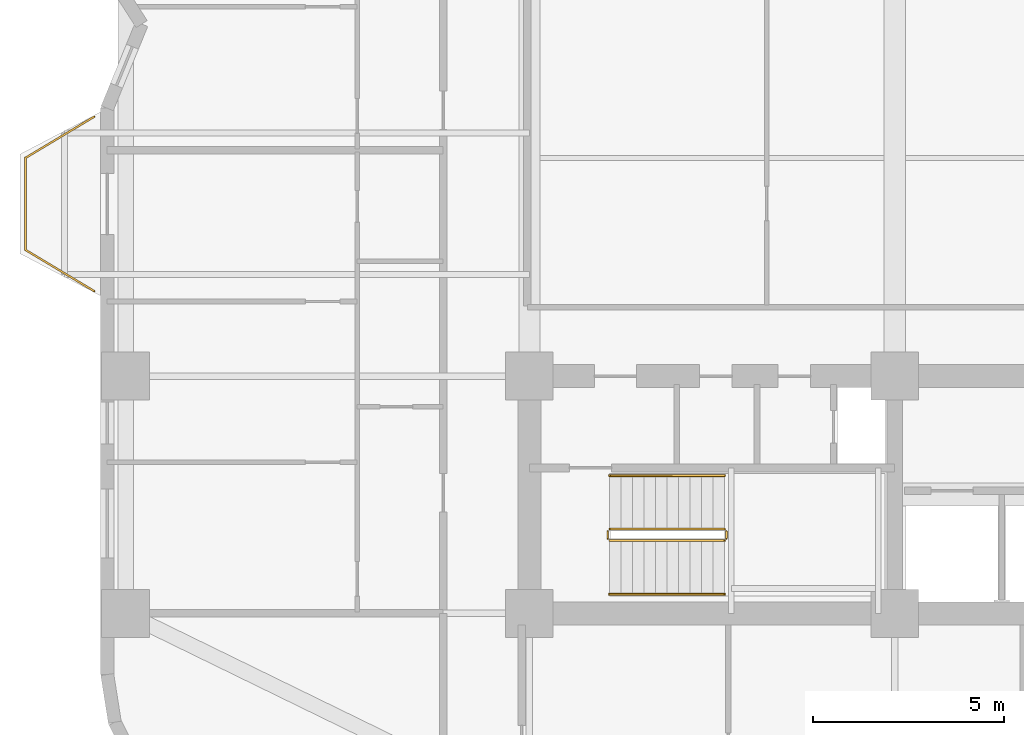
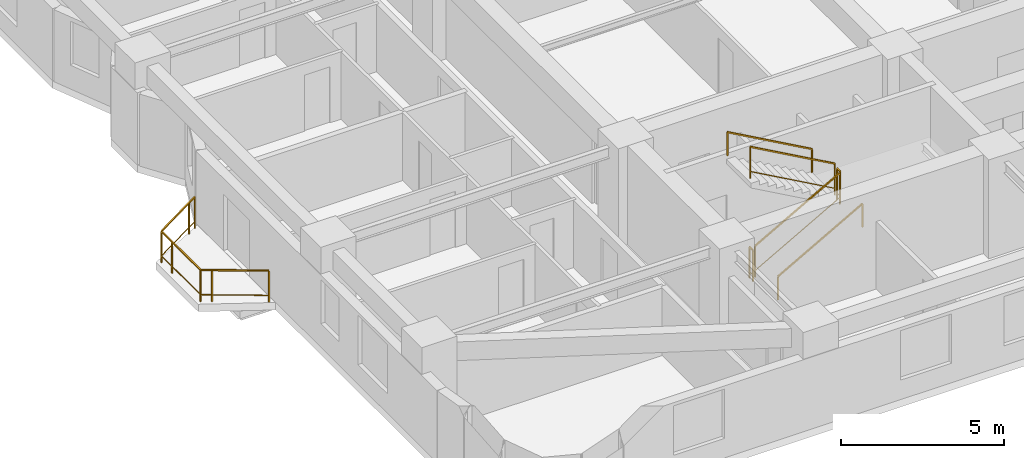
# One storey, part 9 of 10: 7 railings.
"""IFC4 building model written with IfcOpenShell, lengths in metres."""

from ifc_helpers import new_model, si_unit, direction, frame, origin, origin_2d, place, context, subcontext, project, spatial, rectangle, extrude, material, type_object, element, save


model = new_model("IFC4")

# Units and contexts
model_context = context("Model", 3, precision=1e-05, world=origin(), true_north=direction((0.0, 1.0)))
body_context = subcontext(model_context, "Body", "Model", "MODEL_VIEW")
ifc_project = project(units=[si_unit("LENGTHUNIT", "METRE"), si_unit("AREAUNIT", "SQUARE_METRE"), si_unit("VOLUMEUNIT", "CUBIC_METRE"), si_unit("PLANEANGLEUNIT", "RADIAN"), si_unit("MASSUNIT", "GRAM", prefix="KILO")], contexts=[model_context])

# Site, building, storey
site_placement = place(None, origin())
site = spatial("IfcSite", under=ifc_project, at=site_placement, CompositionType="ELEMENT")
building_placement = place(site_placement, origin())
building = spatial("IfcBuilding", under=site, at=building_placement, Name="Svetorya Sky Lyceum", CompositionType="ELEMENT")
storey_placement = place(building_placement, frame((0.0, 0.0, 43.60009765625)))
storey = spatial("IfcBuildingStorey", under=building, at=storey_placement, Name="L10", CompositionType="ELEMENT", Elevation=43.60009765625)

# Railings
ifc_material_1 = material(Name="Laminated safety glass and stainless AISI 316", Category="glass")
railing_type_1 = type_object("IfcRailingType", Name="RL-BAL-1200", PredefinedType="BALUSTRADE", material=ifc_material_1)
railing_1_placement = place(storey_placement, frame((14.22998046875, 19.02001953125, 0.0)))
element("IfcRailing", 1, at=railing_1_placement, inside=storey, type_object=railing_type_1, Name="L10 Balcony Balustrade BAL-W1", PredefinedType="BALUSTRADE", context=body_context, shape_type="SweptSolid", body=[
    extrude(rectangle(XDim=0.048095703125, YDim=0.048095703125, at=origin_2d()), frame((0.0, 0.0, 1.17578125), z_axis=(-0.857482663744, 0.514512858321, 0.0), x_axis=(-0.514512858321, -0.857482663744, 0.0)), (0.0, 0.0, 1.0), 2.09912109375),
    extrude(rectangle(XDim=0.02392578125, YDim=0.02392578125, at=origin_2d()), frame((0.0, 0.0, 0.25), z_axis=(-0.857482663744, 0.514512858321, 0.0), x_axis=(-0.514512858321, -0.857482663744, 0.0)), (0.0, 0.0, 1.0), 2.09912109375),
    extrude(rectangle(XDim=0.048095703125, YDim=0.048095703125, at=origin_2d()), frame((-1.800048828125, 1.080078125, 1.17578125), z_axis=(0.0, 1.0, 0.0), x_axis=(-1.0, 0.0, 0.0)), (0.0, 0.0, 1.0), 2.39990234375),
    extrude(rectangle(XDim=0.02392578125, YDim=0.02392578125, at=origin_2d()), frame((-1.800048828125, 1.080078125, 0.25), z_axis=(0.0, 1.0, 0.0), x_axis=(-1.0, 0.0, 0.0)), (0.0, 0.0, 1.0), 2.39990234375),
    extrude(rectangle(XDim=0.048095703125, YDim=0.048095703125, at=origin_2d()), frame((-1.800048828125, 3.47998046875, 1.17578125), z_axis=(0.857482663744, 0.514512858321, 0.0), x_axis=(-0.514512858321, 0.857482663744, 0.0)), (0.0, 0.0, 1.0), 2.09912109375),
    extrude(rectangle(XDim=0.02392578125, YDim=0.02392578125, at=origin_2d()), frame((-1.800048828125, 3.47998046875, 0.25), z_axis=(0.857482663744, 0.514512858321, 0.0), x_axis=(-0.514512858321, 0.857482663744, 0.0)), (0.0, 0.0, 1.0), 2.09912109375),
    extrude(rectangle(XDim=0.0419921875, YDim=0.0419921875, at=origin_2d()), origin(), (0.0, 0.0, 1.0), 1.15185546875),
    extrude(rectangle(XDim=0.0419921875, YDim=0.0419921875, at=origin_2d()), frame((-1.50048828125, 0.900390625, 0.0)), (0.0, 0.0, 1.0), 1.15185546875),
    extrude(rectangle(XDim=0.0419921875, YDim=0.0419921875, at=origin_2d()), frame((-1.800048828125, 1.080078125, 0.0)), (0.0, 0.0, 1.0), 1.15185546875),
    extrude(rectangle(XDim=0.0419921875, YDim=0.0419921875, at=origin_2d()), frame((-1.800048828125, 2.830078125, 0.0)), (0.0, 0.0, 1.0), 1.15185546875),
    extrude(rectangle(XDim=0.0419921875, YDim=0.0419921875, at=origin_2d()), frame((-1.800048828125, 3.47998046875, 0.0)), (0.0, 0.0, 1.0), 1.15185546875),
    extrude(rectangle(XDim=0.0419921875, YDim=0.0419921875, at=origin_2d()), frame((-0.299560546875, 4.38037109375, 0.0)), (0.0, 0.0, 1.0), 1.15185546875),
    extrude(rectangle(XDim=0.0419921875, YDim=0.0419921875, at=origin_2d()), frame((0.0, 4.56005859375, 0.0)), (0.0, 0.0, 1.0), 1.15185546875),
])
ifc_material_2 = material(Name="Painted galvanized stair well guard")
railing_type_2 = type_object("IfcRailingType", Name="RL-STR-GUARD-1200", PredefinedType="GUARDRAIL", material=ifc_material_2)
railing_2_placement = place(storey_placement, frame((27.699951171875, 12.5, 0.16796875)))
element("IfcRailing", 2, at=railing_2_placement, inside=storey, type_object=railing_type_2, Name="L10 ST-S stair guard 1", PredefinedType="GUARDRAIL", context=body_context, shape_type="SweptSolid", body=[
    extrude(rectangle(XDim=0.048095703125, YDim=0.048095703125, at=origin_2d()), frame((0.0, 0.0, 1.17578125), z_axis=(0.872272294576, 0.0, 0.489020494575), x_axis=(0.0, 1.0, 0.0)), (0.0, 0.0, 1.0), 3.439208984375),
    extrude(rectangle(XDim=0.02392578125, YDim=0.02392578125, at=origin_2d()), frame((0.0, 0.0, 0.25), z_axis=(0.872272294576, 0.0, 0.489020494575), x_axis=(0.0, 1.0, 0.0)), (0.0, 0.0, 1.0), 3.439208984375),
    extrude(rectangle(XDim=0.0419921875, YDim=0.0419921875, at=origin_2d()), origin(), (0.0, 0.0, 1.0), 1.15185546875),
    extrude(rectangle(XDim=0.0419921875, YDim=0.0419921875, at=origin_2d()), frame((3.0, 0.0, 1.681884765625)), (0.0, 0.0, 1.0), 1.15185546875),
])
railing_3_placement = place(storey_placement, frame((30.75, 12.550048828125, 1.849853515625)))
element("IfcRailing", 3, at=railing_3_placement, inside=storey, type_object=railing_type_2, Name="L10 ST-S stair guard 2", PredefinedType="GUARDRAIL", context=body_context, shape_type="SweptSolid", body=[
    extrude(rectangle(XDim=0.048095703125, YDim=0.048095703125, at=origin_2d()), frame((0.0, 0.0, 1.17578125), z_axis=(0.0, 1.0, 0.0), x_axis=(-1.0, 0.0, 0.0)), (0.0, 0.0, 1.0), 0.199951171875),
    extrude(rectangle(XDim=0.02392578125, YDim=0.02392578125, at=origin_2d()), frame((0.0, 0.0, 0.25), z_axis=(0.0, 1.0, 0.0), x_axis=(-1.0, 0.0, 0.0)), (0.0, 0.0, 1.0), 0.199951171875),
    extrude(rectangle(XDim=0.0419921875, YDim=0.0419921875, at=origin_2d()), origin(), (0.0, 0.0, 1.0), 1.15185546875),
    extrude(rectangle(XDim=0.0419921875, YDim=0.0419921875, at=origin_2d()), frame((0.0, 0.199951171875, 0.0)), (0.0, 0.0, 1.0), 1.15185546875),
])
railing_4_placement = place(storey_placement, frame((30.699951171875, 12.800048828125, 2.01806640625)))
element("IfcRailing", 4, at=railing_4_placement, inside=storey, type_object=railing_type_2, Name="L10 ST-S stair guard 3", PredefinedType="GUARDRAIL", context=body_context, shape_type="SweptSolid", body=[
    extrude(rectangle(XDim=0.048095703125, YDim=0.048095703125, at=origin_2d()), frame((0.0, 0.0, 1.17578125), z_axis=(-0.872272294576, 0.0, 0.489020494575), x_axis=(0.0, -1.0, 0.0)), (0.0, 0.0, 1.0), 3.439208984375),
    extrude(rectangle(XDim=0.02392578125, YDim=0.02392578125, at=origin_2d()), frame((0.0, 0.0, 0.25), z_axis=(-0.872272294576, 0.0, 0.489020494575), x_axis=(0.0, -1.0, 0.0)), (0.0, 0.0, 1.0), 3.439208984375),
    extrude(rectangle(XDim=0.0419921875, YDim=0.0419921875, at=origin_2d()), origin(), (0.0, 0.0, 1.0), 1.15185546875),
    extrude(rectangle(XDim=0.0419921875, YDim=0.0419921875, at=origin_2d()), frame((-3.0, 0.0, 1.681884765625)), (0.0, 0.0, 1.0), 1.15185546875),
])
railing_5_placement = place(storey_placement, frame((27.64990234375, 12.550048828125, 0.0)))
element("IfcRailing", 5, at=railing_5_placement, inside=storey, type_object=railing_type_2, Name="L10 ST-S stair guard 4", PredefinedType="GUARDRAIL", context=body_context, shape_type="SweptSolid", body=[
    extrude(rectangle(XDim=0.048095703125, YDim=0.048095703125, at=origin_2d()), frame((0.0, 0.0, 1.17578125), z_axis=(0.0, 1.0, 0.0), x_axis=(-1.0, 0.0, 0.0)), (0.0, 0.0, 1.0), 0.199951171875),
    extrude(rectangle(XDim=0.02392578125, YDim=0.02392578125, at=origin_2d()), frame((0.0, 0.0, 0.25), z_axis=(0.0, 1.0, 0.0), x_axis=(-1.0, 0.0, 0.0)), (0.0, 0.0, 1.0), 0.199951171875),
    extrude(rectangle(XDim=0.0419921875, YDim=0.0419921875, at=origin_2d()), origin(), (0.0, 0.0, 1.0), 1.15185546875),
    extrude(rectangle(XDim=0.0419921875, YDim=0.0419921875, at=origin_2d()), frame((0.0, 0.199951171875, 0.0)), (0.0, 0.0, 1.0), 1.15185546875),
])
ifc_material_3 = material(Name="Brushed stainless AISI 304 stair handrail")
railing_type_3 = type_object("IfcRailingType", Name="RL-STR-HAND-920", PredefinedType="HANDRAIL", material=ifc_material_3)
railing_6_placement = place(storey_placement, frame((27.699951171875, 11.10009765625, 0.16796875)))
element("IfcRailing", 6, at=railing_6_placement, inside=storey, type_object=railing_type_3, Name="L10 ST-S stair handrail 1", PredefinedType="HANDRAIL", context=body_context, shape_type="SweptSolid", body=[
    extrude(rectangle(XDim=0.048095703125, YDim=0.048095703125, at=origin_2d()), frame((0.0, 0.0, 0.8759765625), z_axis=(0.872272294576, 0.0, 0.489020494575), x_axis=(0.0, 1.0, 0.0)), (0.0, 0.0, 1.0), 3.439208984375),
    extrude(rectangle(XDim=0.0419921875, YDim=0.0419921875, at=origin_2d()), origin(), (0.0, 0.0, 1.0), 0.851806640625),
    extrude(rectangle(XDim=0.0419921875, YDim=0.0419921875, at=origin_2d()), frame((3.0, 0.0, 1.681884765625)), (0.0, 0.0, 1.0), 0.851806640625),
])
railing_7_placement = place(storey_placement, frame((30.699951171875, 14.199951171875, 2.01806640625)))
element("IfcRailing", 7, at=railing_7_placement, inside=storey, type_object=railing_type_3, Name="L10 ST-S stair handrail 2", PredefinedType="HANDRAIL", context=body_context, shape_type="SweptSolid", body=[
    extrude(rectangle(XDim=0.048095703125, YDim=0.048095703125, at=origin_2d()), frame((0.0, 0.0, 0.8759765625), z_axis=(-0.872272294576, 0.0, 0.489020494575), x_axis=(0.0, -1.0, 0.0)), (0.0, 0.0, 1.0), 3.439208984375),
    extrude(rectangle(XDim=0.0419921875, YDim=0.0419921875, at=origin_2d()), origin(), (0.0, 0.0, 1.0), 0.851806640625),
    extrude(rectangle(XDim=0.0419921875, YDim=0.0419921875, at=origin_2d()), frame((-3.0, 0.0, 1.681884765625)), (0.0, 0.0, 1.0), 0.851806640625),
])

save(model, "model.ifc")
